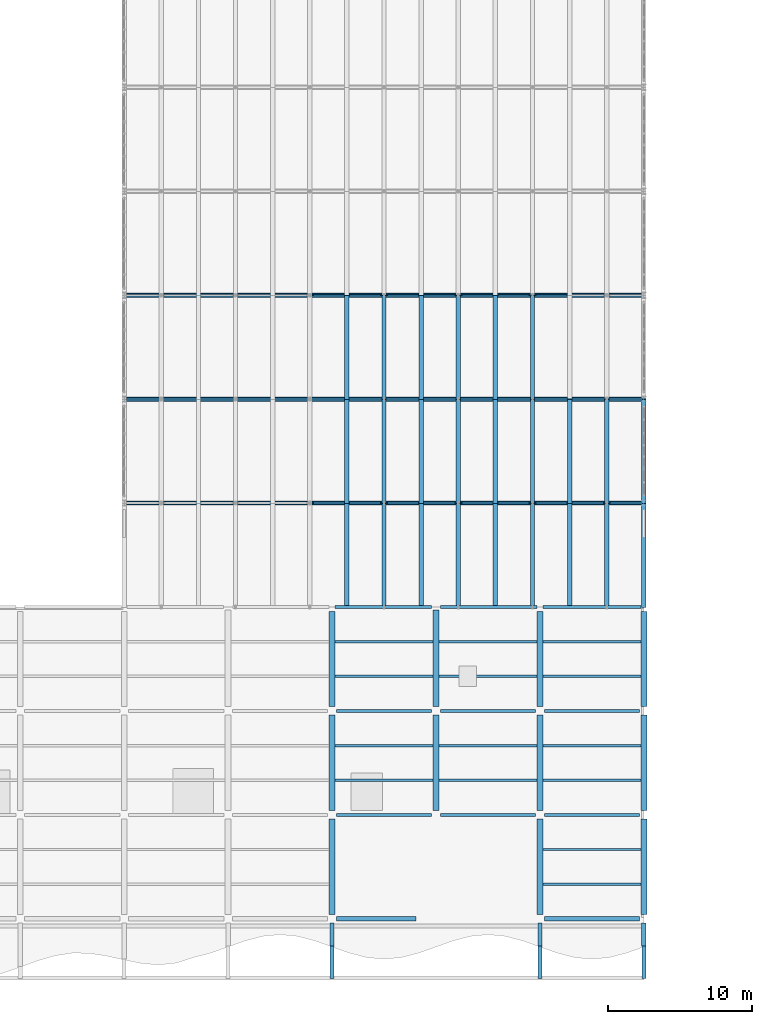
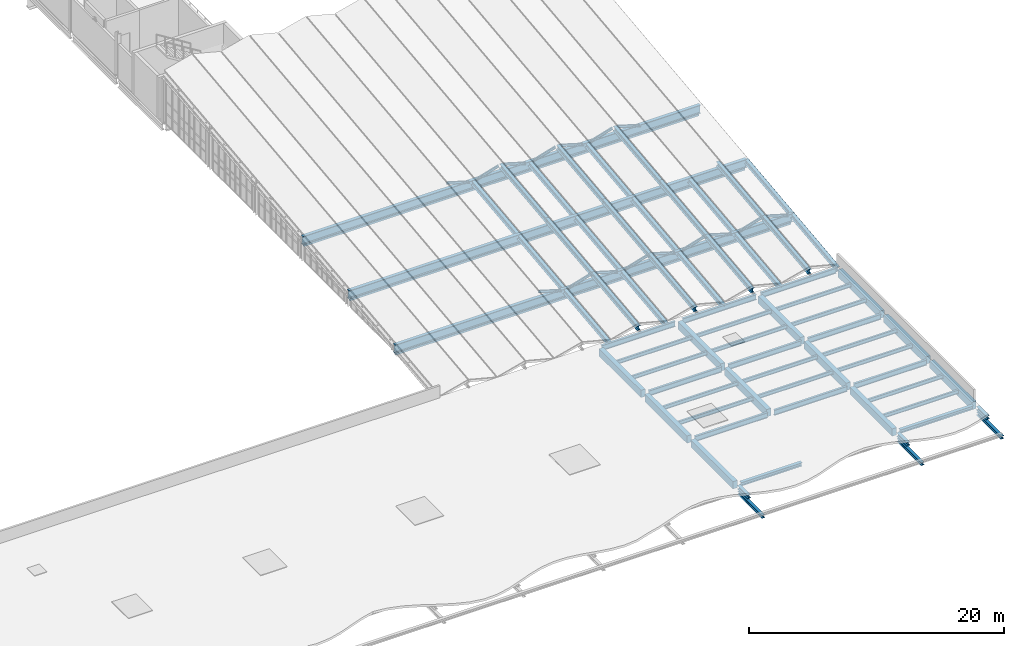
# One storey, part 12 of 48: 69 beams, 19 members.
"""IFC4 building model written with IfcOpenShell, lengths in metres."""

import ifcopenshell
import ifcopenshell.guid

model = None  # the IFC model being written
_history = None  # IfcOwnerHistory: only IFC2X3 demands one
_inside = {}  # id of a spatial element -> (the spatial element, [elements in it])
_under = {}  # id of a project, library or spatial element -> (it, [spatial elements below it])
_declared = {}  # id of a project -> (the project, [libraries it declares])
_typed = {}  # id of a type object -> (the type object, [elements of that type])
_made_of = {}  # id of a material, layer set ... -> (it, [elements and type objects made of it])


def new_model(schema):
    """Start an empty IFC model of exactly this schema.

    Asked for "IFC4X3", IfcOpenShell would pick the latest addendum, in which some entities
    have other attributes; the version numbers below select the first issue.
    IFC2X3 requires an IfcOwnerHistory on every rooted entity: one is made here for all.
    """
    global model, _history
    if schema == "IFC4X3":
        model = ifcopenshell.file(schema_version=(4, 3, 0, 0))
    else:
        model = ifcopenshell.file(schema=schema)
    _inside.clear()
    _under.clear()
    _declared.clear()
    _typed.clear()
    _made_of.clear()
    _history = None
    if model.schema == "IFC2X3":
        org = make("IfcOrganization", Name="unknown")
        user = make(
            "IfcPersonAndOrganization",
            ThePerson=make("IfcPerson", FamilyName="unknown"),
            TheOrganization=org,
        )
        app = make(
            "IfcApplication",
            ApplicationDeveloper=org,
            Version="unknown",
            ApplicationFullName="unknown",
            ApplicationIdentifier="unknown",
        )
        _history = make(
            "IfcOwnerHistory",
            OwningUser=user,
            OwningApplication=app,
            ChangeAction="ADDED",
            CreationDate=0,
        )
    return model


def make(cls, **values):
    """One entity of the class cls with the attributes given. An attribute that is None is left unset."""
    return model.create_entity(
        cls, **{name: value for name, value in values.items() if value is not None}
    )


def rooted(cls, **values):
    """An entity with a GlobalId (a new one), such as an element, a storey or a relation."""
    return make(cls, GlobalId=ifcopenshell.guid.new(), OwnerHistory=_history, **values)


def si_unit(unit_type, name, prefix=None):
    """IfcSIUnit, for example si_unit("LENGTHUNIT", "METRE", prefix="MILLI")."""
    return make("IfcSIUnit", UnitType=unit_type, Prefix=prefix, Name=name)


def assignment(units):
    """IfcUnitAssignment: the units of a project."""
    return None if units is None else make("IfcUnitAssignment", Units=units)


def point(xyz):
    """IfcCartesianPoint."""
    return None if xyz is None else make("IfcCartesianPoint", Coordinates=xyz)


def direction(xyz):
    """IfcDirection."""
    return None if xyz is None else make("IfcDirection", DirectionRatios=xyz)


def frame(location, z_axis=None, x_axis=None):
    """IfcAxis2Placement3D, a coordinate frame: its origin and axes. An axis left out is left unset."""
    return make(
        "IfcAxis2Placement3D",
        Location=point(location),
        Axis=direction(z_axis),
        RefDirection=direction(x_axis),
    )


def frame_2d(location, x_axis=None):
    """IfcAxis2Placement2D, a coordinate frame in the plane: its origin and x axis."""
    return make(
        "IfcAxis2Placement2D", Location=point(location), RefDirection=direction(x_axis)
    )


def origin():
    """The frame at (0, 0, 0) with its axes left unset."""
    return frame((0.0, 0.0, 0.0))


def origin_2d():
    """The frame at (0, 0) in the plane with its x axis left unset."""
    return frame_2d((0.0, 0.0))


def place(relative_to, where):
    """IfcLocalPlacement: puts the frame where relative to a parent placement (None: the world)."""
    return make(
        "IfcLocalPlacement", PlacementRelTo=relative_to, RelativePlacement=where
    )


def context(
    kind, dimensions, precision=None, world=None, true_north=None, identifier=None
):
    """IfcGeometricRepresentationContext, for example the 3D "Model" context."""
    return make(
        "IfcGeometricRepresentationContext",
        ContextIdentifier=identifier,
        ContextType=kind,
        CoordinateSpaceDimension=dimensions,
        Precision=precision,
        WorldCoordinateSystem=world,
        TrueNorth=true_north,
    )


def subcontext(parent, identifier, kind, view, scale=None):
    """IfcGeometricRepresentationSubContext, for example "Body" below "Model"."""
    return make(
        "IfcGeometricRepresentationSubContext",
        ContextIdentifier=identifier,
        ContextType=kind,
        ParentContext=parent,
        TargetScale=scale,
        TargetView=view,
    )


def project(units=None, contexts=None):
    """IfcProject with its units and contexts."""
    return rooted(
        "IfcProject",
        Name="project",
        RepresentationContexts=contexts,
        UnitsInContext=assignment(units),
    )


def spatial(cls, under=None, at=None, **own):
    """A site, building, storey or space (cls), placed at a placement, below another one or the project."""
    s = rooted(cls, ObjectPlacement=at, **own)
    if under is not None:
        _under.setdefault(under.id(), (under, []))[1].append(s)
    return s


def profile(cls, at=None, kind="AREA", **sizes):
    """A parametric profile (cls). Its sizes go by their IFC names, for example OverallWidth=200.0."""
    return make(cls, ProfileType=kind, Position=at, **sizes)


def rectangle(**sizes):
    """IfcRectangleProfileDef."""
    return profile("IfcRectangleProfileDef", **sizes)


def hollow_rectangle(**sizes):
    """IfcRectangleHollowProfileDef."""
    return profile("IfcRectangleHollowProfileDef", **sizes)


def i_section(**sizes):
    """IfcIShapeProfileDef."""
    return profile("IfcIShapeProfileDef", **sizes)


def extrude(swept, where, along, depth):
    """IfcExtrudedAreaSolid: the profile swept, set in the frame where, extruded along a direction by depth."""
    return make(
        "IfcExtrudedAreaSolid",
        SweptArea=swept,
        Position=where,
        ExtrudedDirection=direction(along),
        Depth=depth,
    )


def shape(context_of_items, identifier, shape_type, items):
    """IfcShapeRepresentation: the items that make up one representation, for example the "Body"."""
    return make(
        "IfcShapeRepresentation",
        ContextOfItems=context_of_items,
        RepresentationIdentifier=identifier,
        RepresentationType=shape_type,
        Items=items,
    )


def material(Name=None, Category=None):
    """IfcMaterial."""
    return make("IfcMaterial", Name=Name, Category=Category)


def material_profile(
    of_material, cross_section, Name=None, Category=None, Priority=None
):
    """IfcMaterialProfile: a cross section and its material."""
    return make(
        "IfcMaterialProfile",
        Name=Name,
        Material=of_material,
        Profile=cross_section,
        Priority=Priority,
        Category=Category,
    )


def profile_set(profiles, Name=None, composite=None):
    """IfcMaterialProfileSet."""
    return make(
        "IfcMaterialProfileSet",
        Name=Name,
        MaterialProfiles=profiles,
        CompositeProfile=composite,
    )


def made_of(thing, what):
    """Note that an element or type object is made of a material, layer set ...; save() writes the relation."""
    if what is not None:
        _made_of.setdefault(what.id(), (what, []))[1].append(thing)
    return thing


def type_object(cls, material=None, **own):
    """A type object (cls), such as IfcWallType, which elements share."""
    return made_of(rooted(cls, **own), material)


def element(
    cls,
    number,
    at=None,
    inside=None,
    cuts=None,
    type_object=None,
    material=None,
    context=None,
    identifier="Body",
    shape_type=None,
    held_by="IfcProductDefinitionShape",
    body=None,
    shapes=None,
    **own,
):
    """One element of the class cls, such as IfcWall. Its Tag is "e" and its number.

    at: its placement. inside: the storey or other place that contains it. cuts: it is an
    opening in that element (IfcRelVoidsElement). A single representation is given by context,
    identifier, shape_type and body (its items); several are given by shapes. held_by: the class
    of the entity that holds the representations. save() writes the other relations.
    """
    e = rooted(cls, Tag="e%d" % number, ObjectPlacement=at, **own)
    if body is not None:
        shapes = [shape(context, identifier, shape_type, body)]
    if shapes is not None:
        e.Representation = make(held_by, Representations=shapes)
    if inside is not None:
        _inside.setdefault(inside.id(), (inside, []))[1].append(e)
    if cuts is not None:
        rooted(
            "IfcRelVoidsElement", RelatingBuildingElement=cuts, RelatedOpeningElement=e
        )
    if type_object is not None:
        _typed.setdefault(type_object.id(), (type_object, []))[1].append(e)
    return made_of(e, material)


def aggregate(whole, parts):
    """IfcRelAggregates: a whole, such as a stair, and the parts it consists of."""
    return rooted("IfcRelAggregates", RelatingObject=whole, RelatedObjects=parts)


def save(model, path):
    """Write the relations noted so far, then the file.

    IfcRelAggregates (storeys below a building ...), IfcRelContainedInSpatialStructure (elements
    in a storey), IfcRelDefinesByType, IfcRelAssociatesMaterial and IfcRelDeclares: one each for
    every whole, place, type object, material and project.
    """
    for whole, parts in _under.values():
        aggregate(whole, parts)
    for where, things in _inside.values():
        rooted(
            "IfcRelContainedInSpatialStructure",
            RelatedElements=things,
            RelatingStructure=where,
        )
    for kind, things in _typed.values():
        rooted("IfcRelDefinesByType", RelatedObjects=things, RelatingType=kind)
    for what, things in _made_of.values():
        rooted("IfcRelAssociatesMaterial", RelatedObjects=things, RelatingMaterial=what)
    for by, libraries in _declared.values():
        rooted("IfcRelDeclares", RelatingContext=by, RelatedDefinitions=libraries)
    model.write(path)


model = new_model("IFC4")

# Units and contexts
model_context = context("Model", 3, precision=1e-05, world=origin(), true_north=direction((0.0, 1.0)))
body_context = subcontext(model_context, "Body", "Model", "MODEL_VIEW")
ifc_project = project(units=[si_unit("LENGTHUNIT", "METRE"), si_unit("AREAUNIT", "SQUARE_METRE"), si_unit("VOLUMEUNIT", "CUBIC_METRE"), si_unit("PLANEANGLEUNIT", "RADIAN"), si_unit("MASSUNIT", "GRAM", prefix="KILO"), si_unit("THERMODYNAMICTEMPERATUREUNIT", "KELVIN"), si_unit("POWERUNIT", "WATT")], contexts=[model_context])

# Site, building, storey
site_placement = place(None, origin())
site = spatial("IfcSite", under=ifc_project, at=site_placement, CompositionType="ELEMENT")
building_placement = place(site_placement, origin())
building = spatial("IfcBuilding", under=site, at=building_placement, Name="Kaldorven Railside Theatre", CompositionType="ELEMENT")
storey_placement = place(building_placement, frame((0.0, 0.0, 18.89990234375)))
storey = spatial("IfcBuildingStorey", under=building, at=storey_placement, Name="L04", CompositionType="ELEMENT", Elevation=18.89990234375)

# Beams
ifc_material_1 = material(Name="Steel S355", Category="steel")
ifc_material_profile_1 = material_profile(ifc_material_1, i_section(OverallWidth=0.280029296875, OverallDepth=0.280029296875, WebThickness=0.010498046875, FlangeThickness=0.01806640625, at=origin_2d()), Name="HEB 280")
ifc_profile_set_1 = profile_set([ifc_material_profile_1], Name="Steel S355")
beam_type_1 = type_object("IfcBeamType", Name="BM-HEB280", PredefinedType="SPANDREL", material=ifc_profile_set_1)
for number, where, z_axis, x_axis, name in (
    (1, (101.60009765625, 15.050048828125, -0.919921875), (0.0, 1.0, 0.0), (-1.0, 0.0, 0.0), "L04 Sinusoidal Lower Cantilever Girder FOB-K048"),
    (2, (116.0, 15.050048828125, -0.919921875), (0.0, 1.0, 0.0), (-1.0, 0.0, 0.0), "L04 Sinusoidal Lower Cantilever Girder FOB-K049"),
    (3, (123.199951171875, 15.050048828125, -0.919921875), (0.0, 1.0, 0.0), (-1.0, 0.0, 0.0), "L04 Sinusoidal Lower Cantilever Girder FOB-K050"),
):
    element("IfcBeam", number, at=place(storey_placement, frame(where, z_axis=z_axis, x_axis=x_axis)), inside=storey, type_object=beam_type_1, Name=name, PredefinedType="SPANDREL", context=body_context, shape_type="SweptSolid", body=[
        extrude(i_section(OverallWidth=0.280029296875, OverallDepth=0.280029296875, WebThickness=0.010498046875, FlangeThickness=0.01806640625, at=origin_2d()), origin(), (0.0, 0.0, 1.0), 3.849853515625),
    ])
ifc_material_profile_2 = material_profile(ifc_material_1, i_section(OverallWidth=0.300048828125, OverallDepth=0.340087890625, WebThickness=0.011962890625, FlangeThickness=0.021484375, at=origin_2d()), Name="HEB 340")
ifc_profile_set_2 = profile_set([ifc_material_profile_2], Name="Steel S355")
beam_type_2 = type_object("IfcBeamType", Name="BM-HEB340", PredefinedType="SPANDREL", material=ifc_profile_set_2)
beam_1_placement = place(storey_placement, frame((101.60009765625, 17.31005859375, -0.389892578125), z_axis=(0.0, 1.0, 0.0), x_axis=(-1.0, 0.0, 0.0)))
element("IfcBeam", 4, at=beam_1_placement, inside=storey, type_object=beam_type_2, Name="L04 Sinusoidal Veil Outrigger FOB-4101", PredefinedType="SPANDREL", context=body_context, shape_type="SweptSolid", body=[
    extrude(i_section(OverallWidth=0.300048828125, OverallDepth=0.340087890625, WebThickness=0.011962890625, FlangeThickness=0.021484375, at=origin_2d()), origin(), (0.0, 0.0, 1.0), 1.58984375),
])
beam_2_placement = place(storey_placement, frame((116.300048828125, 19.199951171875, -0.389892578125), z_axis=(1.0, 0.0, 0.0), x_axis=(0.0, 1.0, 0.0)))
element("IfcBeam", 5, at=beam_2_placement, inside=storey, type_object=beam_type_2, Name="L04 Girder BGX-L04-116-019", PredefinedType="SPANDREL", context=body_context, shape_type="SweptSolid", body=[
    extrude(i_section(OverallWidth=0.300048828125, OverallDepth=0.340087890625, WebThickness=0.011962890625, FlangeThickness=0.021484375, at=origin_2d()), origin(), (0.0, 0.0, 1.0), 6.599853515625),
])
for number, where, z_axis, x_axis, name in (
    (6, (116.0, 17.31005859375, -0.389892578125), (0.0, 1.0, 0.0), (-1.0, 0.0, 0.0), "L04 Sinusoidal Veil Outrigger FOB-4116"),
    (7, (123.199951171875, 17.31005859375, -0.389892578125), (0.0, 1.0, 0.0), (-1.0, 0.0, 0.0), "L04 Sinusoidal Veil Outrigger FOB-4123"),
):
    element("IfcBeam", number, at=place(storey_placement, frame(where, z_axis=z_axis, x_axis=x_axis)), inside=storey, type_object=beam_type_2, Name=name, PredefinedType="SPANDREL", context=body_context, shape_type="SweptSolid", body=[
        extrude(i_section(OverallWidth=0.300048828125, OverallDepth=0.340087890625, WebThickness=0.011962890625, FlangeThickness=0.021484375, at=origin_2d()), origin(), (0.0, 0.0, 1.0), 1.58984375),
    ])
beam_3_placement = place(storey_placement, frame((101.89990234375, 19.199951171875, -0.389892578125), z_axis=(1.0, 0.0, 0.0), x_axis=(0.0, 1.0, 0.0)))
element("IfcBeam", 8, at=beam_3_placement, inside=storey, type_object=beam_type_2, Name="L04 Foyer Spandrel Header Girder FSPN-L04", PredefinedType="SPANDREL", context=body_context, shape_type="SweptSolid", body=[
    extrude(i_section(OverallWidth=0.300048828125, OverallDepth=0.340087890625, WebThickness=0.011962890625, FlangeThickness=0.021484375, at=origin_2d()), origin(), (0.0, 0.0, 1.0), 5.52001953125),
])
ifc_material_profile_3 = material_profile(ifc_material_1, i_section(OverallWidth=0.300048828125, OverallDepth=0.449951171875, WebThickness=0.013916015625, FlangeThickness=0.02587890625, at=origin_2d()), Name="HEB 450")
ifc_profile_set_3 = profile_set([ifc_material_profile_3], Name="Steel S355")
beam_type_3 = type_object("IfcBeamType", Name="BM-HEB450", PredefinedType="BEAM", material=ifc_profile_set_3)
for number, where, z_axis, x_axis, name in (
    (9, (102.628662109375, 40.800048828125, -0.45556640625), (0.0, 0.993575928723, 0.11316745938), (-1.0, 0.0, 0.0), "V1 Folded-Plate Valley Girder VB-042"),
    (10, (102.628662109375, 48.0, 0.364501953125), (0.0, 0.993579716392, 0.113134199846), (-1.0, 0.0, 0.0), "V1 Folded-Plate Valley Girder VB-043"),
    (11, (102.628662109375, 55.199951171875, 1.184326171875), (0.0, 0.993575928723, 0.11316745938), (-1.0, 0.0, 0.0), "V1 Folded-Plate Valley Girder VB-044"),
    (12, (105.199951171875, 40.800048828125, 0.20947265625), (0.0, 0.993579716392, 0.113134199846), (-1.0, 0.0, 0.0), "V1 Folded-Plate Ridge Girder RB-048"),
    (13, (105.199951171875, 48.0, 1.029296875), (0.0, 0.993575928723, 0.11316745938), (-1.0, 0.0, 0.0), "V1 Folded-Plate Ridge Girder RB-049"),
    (14, (105.199951171875, 55.199951171875, 1.849365234375), (0.0, 0.993575928723, 0.11316745938), (-1.0, 0.0, 0.0), "V1 Folded-Plate Ridge Girder RB-050"),
    (15, (107.771484375, 40.800048828125, -0.45556640625), (0.0, 0.993575928723, 0.11316745938), (-1.0, 0.0, 0.0), "V1 Folded-Plate Valley Girder VB-054"),
    (16, (107.771484375, 48.0, 0.364501953125), (0.0, 0.993579716392, 0.113134199846), (-1.0, 0.0, 0.0), "V1 Folded-Plate Valley Girder VB-055"),
    (17, (107.771484375, 55.199951171875, 1.184326171875), (0.0, 0.993575928723, 0.11316745938), (-1.0, 0.0, 0.0), "V1 Folded-Plate Valley Girder VB-056"),
    (18, (110.3427734375, 40.800048828125, 0.20947265625), (0.0, 0.993579716392, 0.113134199846), (-1.0, 0.0, 0.0), "V1 Folded-Plate Ridge Girder RB-060"),
    (19, (110.3427734375, 48.0, 1.029296875), (0.0, 0.993575928723, 0.11316745938), (-1.0, 0.0, 0.0), "V1 Folded-Plate Ridge Girder RB-061"),
    (20, (110.3427734375, 55.199951171875, 1.849365234375), (0.0, 0.993575928723, 0.11316745938), (-1.0, 0.0, 0.0), "V1 Folded-Plate Ridge Girder RB-062"),
    (21, (112.914306640625, 40.800048828125, -0.45556640625), (0.0, 0.993575928723, 0.11316745938), (-1.0, 0.0, 0.0), "V1 Folded-Plate Valley Girder VB-066"),
    (22, (112.914306640625, 48.0, 0.364501953125), (0.0, 0.993579716392, 0.113134199846), (-1.0, 0.0, 0.0), "V1 Folded-Plate Valley Girder VB-067"),
    (23, (112.914306640625, 55.199951171875, 1.184326171875), (0.0, 0.993575928723, 0.11316745938), (-1.0, 0.0, 0.0), "V1 Folded-Plate Valley Girder VB-068"),
    (24, (115.485595703125, 40.800048828125, 0.20947265625), (0.0, 0.993579716392, 0.113134199846), (-1.0, 0.0, 0.0), "V1 Folded-Plate Ridge Girder RB-072"),
    (25, (115.485595703125, 48.0, 1.029296875), (0.0, 0.993575928723, 0.11316745938), (-1.0, 0.0, 0.0), "V1 Folded-Plate Ridge Girder RB-073"),
    (26, (115.485595703125, 55.199951171875, 1.849365234375), (0.0, 0.993575928723, 0.11316745938), (-1.0, 0.0, 0.0), "V1 Folded-Plate Ridge Girder RB-074"),
    (27, (118.05712890625, 40.800048828125, -0.45556640625), (0.0, 0.993575928723, 0.11316745938), (-1.0, 0.0, 0.0), "V1 Folded-Plate Valley Girder VB-078"),
    (28, (118.05712890625, 48.0, 0.364501953125), (0.0, 0.993579716392, 0.113134199846), (-1.0, 0.0, 0.0), "V1 Folded-Plate Valley Girder VB-079"),
    (29, (120.62841796875, 40.800048828125, 0.20947265625), (0.0, 0.993579716392, 0.113134199846), (-1.0, 0.0, 0.0), "V1 Folded-Plate Ridge Girder RB-084"),
    (30, (120.62841796875, 48.0, 1.029296875), (0.0, 0.993575928723, 0.11316745938), (-1.0, 0.0, 0.0), "V1 Folded-Plate Ridge Girder RB-085"),
    (31, (123.199951171875, 40.800048828125, -0.45556640625), (0.0, 0.993575928723, 0.11316745938), (-1.0, 0.0, 0.0), "V1 Folded-Plate Valley Girder VB-090"),
    (32, (123.199951171875, 48.0, 0.364501953125), (0.0, 0.993579716392, 0.113134199846), (-1.0, 0.0, 0.0), "V1 Folded-Plate Valley Girder VB-091"),
):
    element("IfcBeam", number, at=place(storey_placement, frame(where, z_axis=z_axis, x_axis=x_axis)), inside=storey, type_object=beam_type_3, Name=name, PredefinedType="BEAM", context=body_context, shape_type="SweptSolid", body=[
        extrude(i_section(OverallWidth=0.300048828125, OverallDepth=0.449951171875, WebThickness=0.013916015625, FlangeThickness=0.02587890625, at=origin_2d()), origin(), (0.0, 0.0, 1.0), 7.24658203125),
    ])
ifc_material_profile_4 = material_profile(ifc_material_1, i_section(OverallWidth=0.300048828125, OverallDepth=0.800048828125, WebThickness=0.017578125, FlangeThickness=0.032958984375, at=origin_2d()), Name="HEB 800")
ifc_profile_set_4 = profile_set([ifc_material_profile_4], Name="Steel S355")
beam_type_4 = type_object("IfcBeamType", Name="BM-HEB800", PredefinedType="USERDEFINED", material=ifc_profile_set_4)
for number, where, z_axis, x_axis, name in (
    (33, (87.219970703125, 48.0, 0.203857421875), (1.0, 0.0, 0.0), (0.0, 1.0, 0.0), "V1 Folded-Plate Transverse Truss Girder RTG-001"),
    (34, (87.219970703125, 55.199951171875, 1.023681640625), (1.0, 0.0, 0.0), (0.0, 1.0, 0.0), "V1 Folded-Plate Transverse Truss Girder RTG-002"),
    (35, (87.219970703125, 62.39990234375, 1.84375), (1.0, 0.0, 0.0), (0.0, 1.0, 0.0), "V1 Folded-Plate Transverse Truss Girder RTG-003"),
):
    element("IfcBeam", number, at=place(storey_placement, frame(where, z_axis=z_axis, x_axis=x_axis)), inside=storey, type_object=beam_type_4, Name=name, ObjectType="ROOF TRUSS", PredefinedType="USERDEFINED", context=body_context, shape_type="SweptSolid", body=[
        extrude(i_section(OverallWidth=0.300048828125, OverallDepth=0.800048828125, WebThickness=0.017578125, FlangeThickness=0.032958984375, at=origin_2d()), origin(), (0.0, 0.0, 1.0), 35.9599609375),
    ])
ifc_material_profile_5 = material_profile(ifc_material_1, i_section(OverallWidth=0.169921875, OverallDepth=0.360107421875, WebThickness=0.008056640625, FlangeThickness=0.0126953125, at=origin_2d()), Name="IPE 360")
ifc_profile_set_5 = profile_set([ifc_material_profile_5], Name="Steel S355")
beam_type_5 = type_object("IfcBeamType", Name="BM-IPE360", PredefinedType="JOIST", material=ifc_profile_set_5)
for number, where, z_axis, x_axis, name in (
    (36, (116.199951171875, 21.60009765625, -0.39990234375), (1.0, 0.0, 0.0), (0.0, 1.0, 0.0), "L04 Secondary Floor Joist JG-L04-116-0216"),
    (37, (116.199951171875, 24.0, -0.39990234375), (1.0, 0.0, 0.0), (0.0, 1.0, 0.0), "L04 Secondary Floor Joist JG-L04-116-0240"),
    (38, (101.800048828125, 28.800048828125, -0.39990234375), (1.0, 0.0, 0.0), (0.0, 1.0, 0.0), "L04 Secondary Floor Joist JG-L04-101-0288"),
    (39, (101.800048828125, 31.199951171875, -0.39990234375), (1.0, 0.0, 0.0), (0.0, 1.0, 0.0), "L04 Secondary Floor Joist JG-L04-101-0312"),
    (40, (109.0, 28.800048828125, -0.39990234375), (1.0, 0.0, 0.0), (0.0, 1.0, 0.0), "L04 Secondary Floor Joist JG-L04-108-0288"),
    (41, (109.0, 31.199951171875, -0.39990234375), (1.0, 0.0, 0.0), (0.0, 1.0, 0.0), "L04 Secondary Floor Joist JG-L04-108-0312"),
    (42, (116.199951171875, 28.800048828125, -0.39990234375), (1.0, 0.0, 0.0), (0.0, 1.0, 0.0), "L04 Secondary Floor Joist JG-L04-116-0288"),
    (43, (116.199951171875, 31.199951171875, -0.39990234375), (1.0, 0.0, 0.0), (0.0, 1.0, 0.0), "L04 Secondary Floor Joist JG-L04-116-0312"),
    (44, (101.800048828125, 36.0, -0.39990234375), (1.0, 0.0, 0.0), (0.0, 1.0, 0.0), "L04 Secondary Floor Joist JG-L04-101-0360"),
    (45, (101.800048828125, 38.39990234375, -0.39990234375), (1.0, 0.0, 0.0), (0.0, 1.0, 0.0), "L04 Secondary Floor Joist JG-L04-101-0384"),
    (46, (109.0, 36.0, -0.39990234375), (1.0, 0.0, 0.0), (0.0, 1.0, 0.0), "L04 Secondary Floor Joist JG-L04-108-0360"),
    (47, (109.0, 38.39990234375, -0.39990234375), (1.0, 0.0, 0.0), (0.0, 1.0, 0.0), "L04 Secondary Floor Joist JG-L04-108-0384"),
    (48, (116.199951171875, 36.0, -0.39990234375), (1.0, 0.0, 0.0), (0.0, 1.0, 0.0), "L04 Secondary Floor Joist JG-L04-116-0360"),
    (49, (116.199951171875, 38.39990234375, -0.39990234375), (1.0, 0.0, 0.0), (0.0, 1.0, 0.0), "L04 Secondary Floor Joist JG-L04-116-0384"),
):
    element("IfcBeam", number, at=place(storey_placement, frame(where, z_axis=z_axis, x_axis=x_axis)), inside=storey, type_object=beam_type_5, Name=name, PredefinedType="JOIST", context=body_context, shape_type="SweptSolid", body=[
        extrude(i_section(OverallWidth=0.169921875, OverallDepth=0.360107421875, WebThickness=0.008056640625, FlangeThickness=0.0126953125, at=origin_2d()), origin(), (0.0, 0.0, 1.0), 6.800048828125),
    ])
ifc_material_profile_6 = material_profile(ifc_material_1, i_section(OverallWidth=0.199951171875, OverallDepth=0.5, WebThickness=0.01025390625, FlangeThickness=0.01611328125, at=origin_2d()), Name="IPE 500")
ifc_profile_set_6 = profile_set([ifc_material_profile_6], Name="Steel S355")
beam_type_6 = type_object("IfcBeamType", Name="BM-IPE500", PredefinedType="BEAM", material=ifc_profile_set_6)
beam_4_placement = place(storey_placement, frame((101.89990234375, 26.39990234375, -0.469970703125), z_axis=(1.0, 0.0, 0.0), x_axis=(0.0, 1.0, 0.0)))
element("IfcBeam", 50, at=beam_4_placement, inside=storey, type_object=beam_type_6, Name="L04 Girder BGX-L04-101-026", PredefinedType="BEAM", context=body_context, shape_type="SweptSolid", body=[
    extrude(i_section(OverallWidth=0.199951171875, OverallDepth=0.5, WebThickness=0.01025390625, FlangeThickness=0.01611328125, at=origin_2d()), origin(), (0.0, 0.0, 1.0), 6.60009765625),
])
for number, where, z_axis, x_axis, name in (
    (51, (109.10009765625, 26.39990234375, -0.469970703125), (1.0, 0.0, 0.0), (0.0, 1.0, 0.0), "L04 Girder BGX-L04-108-026"),
    (52, (116.300048828125, 26.39990234375, -0.469970703125), (1.0, 0.0, 0.0), (0.0, 1.0, 0.0), "L04 Girder BGX-L04-116-026"),
):
    element("IfcBeam", number, at=place(storey_placement, frame(where, z_axis=z_axis, x_axis=x_axis)), inside=storey, type_object=beam_type_6, Name=name, PredefinedType="BEAM", context=body_context, shape_type="SweptSolid", body=[
        extrude(i_section(OverallWidth=0.199951171875, OverallDepth=0.5, WebThickness=0.01025390625, FlangeThickness=0.01611328125, at=origin_2d()), origin(), (0.0, 0.0, 1.0), 6.599853515625),
    ])
beam_5_placement = place(storey_placement, frame((101.89990234375, 33.60009765625, -0.469970703125), z_axis=(1.0, 0.0, 0.0), x_axis=(0.0, 1.0, 0.0)))
element("IfcBeam", 53, at=beam_5_placement, inside=storey, type_object=beam_type_6, Name="L04 Girder BGX-L04-101-033", PredefinedType="BEAM", context=body_context, shape_type="SweptSolid", body=[
    extrude(i_section(OverallWidth=0.199951171875, OverallDepth=0.5, WebThickness=0.01025390625, FlangeThickness=0.01611328125, at=origin_2d()), origin(), (0.0, 0.0, 1.0), 6.60009765625),
])
for number, where, z_axis, x_axis, name in (
    (54, (109.10009765625, 33.60009765625, -0.469970703125), (1.0, 0.0, 0.0), (0.0, 1.0, 0.0), "L04 Girder BGX-L04-108-033"),
    (55, (116.300048828125, 33.60009765625, -0.469970703125), (1.0, 0.0, 0.0), (0.0, 1.0, 0.0), "L04 Girder BGX-L04-116-033"),
):
    element("IfcBeam", number, at=place(storey_placement, frame(where, z_axis=z_axis, x_axis=x_axis)), inside=storey, type_object=beam_type_6, Name=name, PredefinedType="BEAM", context=body_context, shape_type="SweptSolid", body=[
        extrude(i_section(OverallWidth=0.199951171875, OverallDepth=0.5, WebThickness=0.01025390625, FlangeThickness=0.01611328125, at=origin_2d()), origin(), (0.0, 0.0, 1.0), 6.599853515625),
    ])
for number, where, z_axis, x_axis, name in (
    (56, (101.800048828125, 40.800048828125, -0.469970703125), (1.0, 0.0, 0.0), (0.0, 1.0, 0.0), "L04 Girder BGX-L04-101-040"),
    (57, (109.125, 40.800048828125, -0.469970703125), (1.0, 0.0, 0.0), (0.0, 1.0, 0.0), "L04 Girder BGX-L04-108-040"),
):
    element("IfcBeam", number, at=place(storey_placement, frame(where, z_axis=z_axis, x_axis=x_axis)), inside=storey, type_object=beam_type_6, Name=name, PredefinedType="BEAM", context=body_context, shape_type="SweptSolid", body=[
        extrude(i_section(OverallWidth=0.199951171875, OverallDepth=0.5, WebThickness=0.01025390625, FlangeThickness=0.01611328125, at=origin_2d()), origin(), (0.0, 0.0, 1.0), 6.675048828125),
    ])
beam_6_placement = place(storey_placement, frame((116.199951171875, 40.800048828125, -0.469970703125), z_axis=(1.0, 0.0, 0.0), x_axis=(0.0, 1.0, 0.0)))
element("IfcBeam", 58, at=beam_6_placement, inside=storey, type_object=beam_type_6, Name="L04 Girder BGX-L04-116-040", PredefinedType="BEAM", context=body_context, shape_type="SweptSolid", body=[
    extrude(i_section(OverallWidth=0.199951171875, OverallDepth=0.5, WebThickness=0.01025390625, FlangeThickness=0.01611328125, at=origin_2d()), origin(), (0.0, 0.0, 1.0), 6.800048828125),
])
ifc_material_2 = material(Name="Concrete C40/50", Category="concrete")
ifc_material_profile_7 = material_profile(ifc_material_2, rectangle(XDim=0.39990234375, YDim=0.699951171875, at=origin_2d()), Name="RC 400x700")
ifc_profile_set_7 = profile_set([ifc_material_profile_7], Name="Concrete C40/50")
beam_type_7 = type_object("IfcBeamType", Name="BM-RC400x700", PredefinedType="BEAM", material=ifc_profile_set_7)
for number, where, z_axis, x_axis, name in (
    (59, (101.60009765625, 19.5, -0.56982421875), (0.0, 1.0, 0.0), (-1.0, 0.0, 0.0), "L04 Girder BGY-L04-101-019-72"),
    (60, (116.0, 19.5, -0.56982421875), (0.0, 1.0, 0.0), (-1.0, 0.0, 0.0), "L04 Girder BGY-L04-116-019-72"),
    (61, (123.199951171875, 19.5, -0.56982421875), (0.0, 1.0, 0.0), (-1.0, 0.0, 0.0), "L04 Girder BGY-L04-123-019-72"),
    (62, (101.60009765625, 26.699951171875, -0.56982421875), (0.0, 1.0, 0.0), (-1.0, 0.0, 0.0), "L04 Girder BGY-L04-101-026-72"),
    (63, (108.800048828125, 26.699951171875, -0.56982421875), (0.0, 1.0, 0.0), (-1.0, 0.0, 0.0), "L04 Girder BGY-L04-108-026-72"),
    (64, (116.0, 26.699951171875, -0.56982421875), (0.0, 1.0, 0.0), (-1.0, 0.0, 0.0), "L04 Girder BGY-L04-116-026-72"),
    (65, (123.199951171875, 26.699951171875, -0.56982421875), (0.0, 1.0, 0.0), (-1.0, 0.0, 0.0), "L04 Girder BGY-L04-123-026-72"),
):
    element("IfcBeam", number, at=place(storey_placement, frame(where, z_axis=z_axis, x_axis=x_axis)), inside=storey, type_object=beam_type_7, Name=name, PredefinedType="BEAM", context=body_context, shape_type="SweptSolid", body=[
        extrude(rectangle(XDim=0.39990234375, YDim=0.699951171875, at=origin_2d()), origin(), (0.0, 0.0, 1.0), 6.60009765625),
    ])
beam_7_placement = place(storey_placement, frame((101.60009765625, 33.89990234375, -0.56982421875), z_axis=(0.0, 1.0, 0.0), x_axis=(-1.0, 0.0, 0.0)))
element("IfcBeam", 66, at=beam_7_placement, inside=storey, type_object=beam_type_7, Name="L04 Girder BGY-L04-101-033-72", PredefinedType="BEAM", context=body_context, shape_type="SweptSolid", body=[
    extrude(rectangle(XDim=0.39990234375, YDim=0.699951171875, at=origin_2d()), origin(), (0.0, 0.0, 1.0), 6.5751953125),
])
beam_8_placement = place(storey_placement, frame((108.800048828125, 33.89990234375, -0.56982421875), z_axis=(0.0, 1.0, 0.0), x_axis=(-1.0, 0.0, 0.0)))
element("IfcBeam", 67, at=beam_8_placement, inside=storey, type_object=beam_type_7, Name="L04 Girder BGY-L04-108-033-72", PredefinedType="BEAM", context=body_context, shape_type="SweptSolid", body=[
    extrude(rectangle(XDim=0.39990234375, YDim=0.699951171875, at=origin_2d()), origin(), (0.0, 0.0, 1.0), 6.7001953125),
])
for number, where, z_axis, x_axis, name in (
    (68, (116.0, 33.89990234375, -0.56982421875), (0.0, 1.0, 0.0), (-1.0, 0.0, 0.0), "L04 Girder BGY-L04-116-033-72"),
    (69, (123.199951171875, 33.89990234375, -0.56982421875), (0.0, 1.0, 0.0), (-1.0, 0.0, 0.0), "L04 Girder BGY-L04-123-033-72"),
):
    element("IfcBeam", number, at=place(storey_placement, frame(where, z_axis=z_axis, x_axis=x_axis)), inside=storey, type_object=beam_type_7, Name=name, PredefinedType="BEAM", context=body_context, shape_type="SweptSolid", body=[
        extrude(rectangle(XDim=0.39990234375, YDim=0.699951171875, at=origin_2d()), origin(), (0.0, 0.0, 1.0), 6.5751953125),
    ])

# Members
ifc_material_profile_8 = material_profile(ifc_material_1, i_section(OverallWidth=0.1201171875, OverallDepth=0.239990234375, WebThickness=0.006103515625, FlangeThickness=0.009765625, at=origin_2d()), Name="IPE 240")
ifc_profile_set_8 = profile_set([ifc_material_profile_8], Name="Steel S355")
member_type_1 = type_object("IfcMemberType", Name="MEM-IPE240", PredefinedType="PURLIN", material=ifc_profile_set_8)
for number, where, z_axis, x_axis, name in (
    (70, (100.26513671875, 48.0, 1.0791015625), (0.95859084384, 0.0, -0.284786927556), (0.0, 1.0, 0.0), "V1 Folded-Roof Transverse Purlin PRL-011"),
    (71, (100.26513671875, 62.39990234375, 2.718994140625), (0.958620479351, 0.0, -0.284687155608), (0.0, 1.0, 0.0), "V1 Folded-Roof Transverse Purlin PRL-012"),
):
    element("IfcMember", number, at=place(storey_placement, frame(where, z_axis=z_axis, x_axis=x_axis)), inside=storey, type_object=member_type_1, Name=name, PredefinedType="PURLIN", context=body_context, shape_type="SweptSolid", body=[
        extrude(i_section(OverallWidth=0.1201171875, OverallDepth=0.239990234375, WebThickness=0.006103515625, FlangeThickness=0.009765625, at=origin_2d()), origin(), (0.0, 0.0, 1.0), 2.24853515625),
    ])
for number, where, z_axis, x_axis, name in (
    (72, (102.836669921875, 48.0, 0.438720703125), (0.958582036806, 0.0, 0.284816570292), (0.0, 1.0, 0.0), "V1 Folded-Roof Transverse Purlin PRL-013"),
    (73, (102.836669921875, 62.39990234375, 2.078857421875), (0.958611678215, 0.0, 0.284716789792), (0.0, 1.0, 0.0), "V1 Folded-Roof Transverse Purlin PRL-014"),
):
    element("IfcMember", number, at=place(storey_placement, frame(where, z_axis=z_axis, x_axis=x_axis)), inside=storey, type_object=member_type_1, Name=name, PredefinedType="PURLIN", context=body_context, shape_type="SweptSolid", body=[
        extrude(i_section(OverallWidth=0.1201171875, OverallDepth=0.239990234375, WebThickness=0.006103515625, FlangeThickness=0.009765625, at=origin_2d()), origin(), (0.0, 0.0, 1.0), 2.248291015625),
    ])
for number, where, z_axis, x_axis, name in (
    (74, (105.407958984375, 48.0, 1.0791015625), (0.95859084384, 0.0, -0.284786927556), (0.0, 1.0, 0.0), "V1 Folded-Roof Transverse Purlin PRL-015"),
    (75, (105.407958984375, 62.39990234375, 2.718994140625), (0.958620479351, 0.0, -0.284687155608), (0.0, 1.0, 0.0), "V1 Folded-Roof Transverse Purlin PRL-016"),
):
    element("IfcMember", number, at=place(storey_placement, frame(where, z_axis=z_axis, x_axis=x_axis)), inside=storey, type_object=member_type_1, Name=name, PredefinedType="PURLIN", context=body_context, shape_type="SweptSolid", body=[
        extrude(i_section(OverallWidth=0.1201171875, OverallDepth=0.239990234375, WebThickness=0.006103515625, FlangeThickness=0.009765625, at=origin_2d()), origin(), (0.0, 0.0, 1.0), 2.24853515625),
    ])
for number, where, z_axis, x_axis, name in (
    (76, (107.9794921875, 48.0, 0.438720703125), (0.958582036806, 0.0, 0.284816570292), (0.0, 1.0, 0.0), "V1 Folded-Roof Transverse Purlin PRL-017"),
    (77, (107.9794921875, 62.39990234375, 2.078857421875), (0.958611678215, 0.0, 0.284716789792), (0.0, 1.0, 0.0), "V1 Folded-Roof Transverse Purlin PRL-018"),
):
    element("IfcMember", number, at=place(storey_placement, frame(where, z_axis=z_axis, x_axis=x_axis)), inside=storey, type_object=member_type_1, Name=name, PredefinedType="PURLIN", context=body_context, shape_type="SweptSolid", body=[
        extrude(i_section(OverallWidth=0.1201171875, OverallDepth=0.239990234375, WebThickness=0.006103515625, FlangeThickness=0.009765625, at=origin_2d()), origin(), (0.0, 0.0, 1.0), 2.248291015625),
    ])
for number, where, z_axis, x_axis, name in (
    (78, (110.55078125, 48.0, 1.0791015625), (0.95859084384, 0.0, -0.284786927556), (0.0, 1.0, 0.0), "V1 Folded-Roof Transverse Purlin PRL-019"),
    (79, (110.55078125, 62.39990234375, 2.718994140625), (0.958620479351, 0.0, -0.284687155608), (0.0, 1.0, 0.0), "V1 Folded-Roof Transverse Purlin PRL-020"),
):
    element("IfcMember", number, at=place(storey_placement, frame(where, z_axis=z_axis, x_axis=x_axis)), inside=storey, type_object=member_type_1, Name=name, PredefinedType="PURLIN", context=body_context, shape_type="SweptSolid", body=[
        extrude(i_section(OverallWidth=0.1201171875, OverallDepth=0.239990234375, WebThickness=0.006103515625, FlangeThickness=0.009765625, at=origin_2d()), origin(), (0.0, 0.0, 1.0), 2.24853515625),
    ])
for number, where, z_axis, x_axis, name in (
    (80, (113.122314453125, 48.0, 0.438720703125), (0.958582036806, 0.0, 0.284816570292), (0.0, 1.0, 0.0), "V1 Folded-Roof Transverse Purlin PRL-021"),
    (81, (113.122314453125, 62.39990234375, 2.078857421875), (0.958611678215, 0.0, 0.284716789792), (0.0, 1.0, 0.0), "V1 Folded-Roof Transverse Purlin PRL-022"),
):
    element("IfcMember", number, at=place(storey_placement, frame(where, z_axis=z_axis, x_axis=x_axis)), inside=storey, type_object=member_type_1, Name=name, PredefinedType="PURLIN", context=body_context, shape_type="SweptSolid", body=[
        extrude(i_section(OverallWidth=0.1201171875, OverallDepth=0.239990234375, WebThickness=0.006103515625, FlangeThickness=0.009765625, at=origin_2d()), origin(), (0.0, 0.0, 1.0), 2.248291015625),
    ])
for number, where, z_axis, x_axis, name in (
    (82, (115.693603515625, 48.0, 1.0791015625), (0.95859084384, 0.0, -0.284786927556), (0.0, 1.0, 0.0), "V1 Folded-Roof Transverse Purlin PRL-023"),
    (83, (115.693603515625, 62.39990234375, 2.718994140625), (0.958620479351, 0.0, -0.284687155608), (0.0, 1.0, 0.0), "V1 Folded-Roof Transverse Purlin PRL-024"),
):
    element("IfcMember", number, at=place(storey_placement, frame(where, z_axis=z_axis, x_axis=x_axis)), inside=storey, type_object=member_type_1, Name=name, PredefinedType="PURLIN", context=body_context, shape_type="SweptSolid", body=[
        extrude(i_section(OverallWidth=0.1201171875, OverallDepth=0.239990234375, WebThickness=0.006103515625, FlangeThickness=0.009765625, at=origin_2d()), origin(), (0.0, 0.0, 1.0), 2.24853515625),
    ])
member_1_placement = place(storey_placement, frame((118.26513671875, 48.0, 0.438720703125), z_axis=(0.958582036806, 0.0, 0.284816570292), x_axis=(0.0, 1.0, 0.0)))
element("IfcMember", 84, at=member_1_placement, inside=storey, type_object=member_type_1, Name="V1 Folded-Roof Transverse Purlin PRL-025", PredefinedType="PURLIN", context=body_context, shape_type="SweptSolid", body=[
    extrude(i_section(OverallWidth=0.1201171875, OverallDepth=0.239990234375, WebThickness=0.006103515625, FlangeThickness=0.009765625, at=origin_2d()), origin(), (0.0, 0.0, 1.0), 2.248291015625),
])
member_2_placement = place(storey_placement, frame((120.83642578125, 48.0, 1.0791015625), z_axis=(0.95859084384, 0.0, -0.284786927556), x_axis=(0.0, 1.0, 0.0)))
element("IfcMember", 85, at=member_2_placement, inside=storey, type_object=member_type_1, Name="V1 Folded-Roof Transverse Purlin PRL-027", PredefinedType="PURLIN", context=body_context, shape_type="SweptSolid", body=[
    extrude(i_section(OverallWidth=0.1201171875, OverallDepth=0.239990234375, WebThickness=0.006103515625, FlangeThickness=0.009765625, at=origin_2d()), origin(), (0.0, 0.0, 1.0), 2.24853515625),
])
ifc_material_profile_9 = material_profile(ifc_material_1, hollow_rectangle(XDim=0.14990234375, YDim=0.25, WallThickness=0.010009765625, at=origin_2d()), Name="RHS 250x150x10")
ifc_profile_set_9 = profile_set([ifc_material_profile_9], Name="Steel S355")
member_type_2 = type_object("IfcMemberType", Name="MEM-RHS250", PredefinedType="CHORD", material=ifc_profile_set_9)
for number, where, z_axis, x_axis, name in (
    (86, (87.35009765625, 48.0, -0.3212890625), (1.0, 0.0, 0.0), (0.0, 1.0, 0.0), "V1 Roof Truss Tie Chord CHD-001"),
    (87, (87.35009765625, 55.199951171875, 0.498779296875), (1.0, 0.0, 0.0), (0.0, 1.0, 0.0), "V1 Roof Truss Tie Chord CHD-002"),
    (88, (87.35009765625, 62.39990234375, 1.31884765625), (1.0, 0.0, 0.0), (0.0, 1.0, 0.0), "V1 Roof Truss Tie Chord CHD-003"),
):
    element("IfcMember", number, at=place(storey_placement, frame(where, z_axis=z_axis, x_axis=x_axis)), inside=storey, type_object=member_type_2, Name=name, PredefinedType="CHORD", context=body_context, shape_type="SweptSolid", body=[
        extrude(hollow_rectangle(XDim=0.14990234375, YDim=0.25, WallThickness=0.010009765625, at=origin_2d()), origin(), (0.0, 0.0, 1.0), 35.699951171875),
    ])

save(model, "model.ifc")
